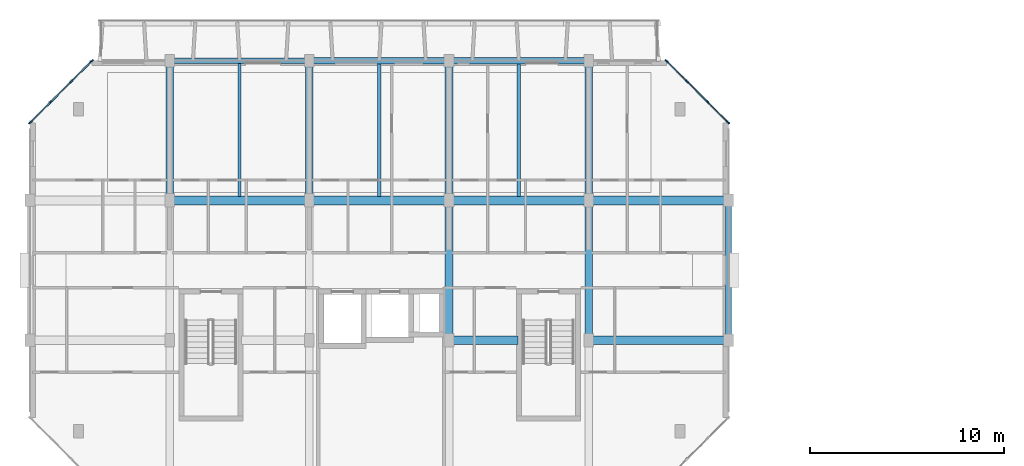
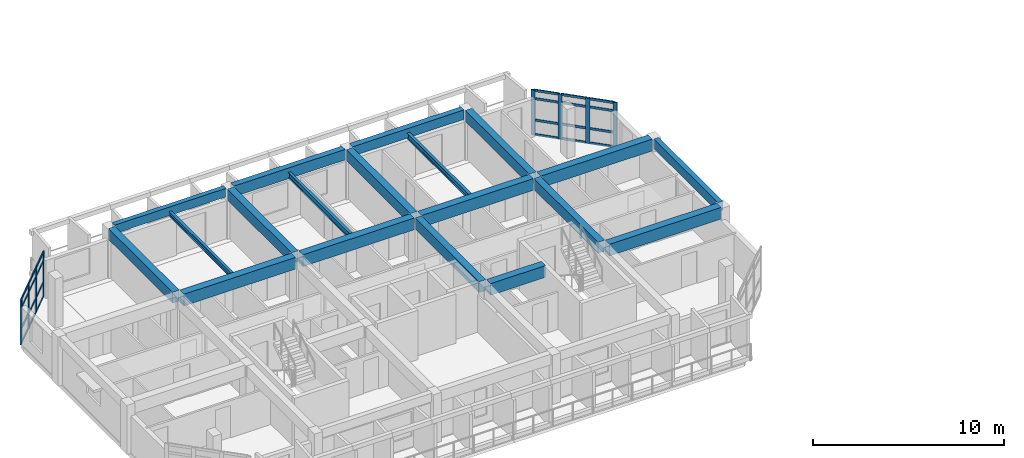
# One storey, part 7 of 51: 32 members, 19 beams, 2 elements without a shape of their own.
"""IFC4 building model written with IfcOpenShell, lengths in metres."""

from ifc_helpers import new_model, si_unit, direction, frame, origin, origin_2d, place, context, subcontext, project, spatial, rectangle, i_section, extrude, material, layer, layer_set, material_profile, profile_set, type_object, element, aggregate, save


model = new_model("IFC4")

# Units and contexts
model_context = context("Model", 3, precision=1e-05, world=origin(), true_north=direction((0.0, 1.0)))
body_context = subcontext(model_context, "Body", "Model", "MODEL_VIEW")
ifc_project = project(units=[si_unit("LENGTHUNIT", "METRE"), si_unit("AREAUNIT", "SQUARE_METRE"), si_unit("VOLUMEUNIT", "CUBIC_METRE"), si_unit("PLANEANGLEUNIT", "RADIAN"), si_unit("MASSUNIT", "GRAM", prefix="KILO")], contexts=[model_context])

# Site, building, storey
site_placement = place(None, origin())
site = spatial("IfcSite", under=ifc_project, at=site_placement, CompositionType="ELEMENT")
building_placement = place(site_placement, origin())
building = spatial("IfcBuilding", under=site, at=building_placement, Name="Ochrevale Crest", CompositionType="ELEMENT")
storey_placement = place(building_placement, frame((0.0, 0.0, 11.85009765625)))
storey = spatial("IfcBuildingStorey", under=building, at=storey_placement, Name="L03", CompositionType="ELEMENT", Elevation=11.85009765625)

# Beams
ifc_material_1 = material(Name="Precast concrete C50/60", Category="concrete")
ifc_material_profile_1 = material_profile(ifc_material_1, rectangle(XDim=0.39990234375, YDim=0.699951171875, at=origin_2d()), Name="PC 400x700")
ifc_profile_set_1 = profile_set([ifc_material_profile_1], Name="Precast concrete C50/60")
beam_type_1 = type_object("IfcBeamType", Name="BM-PC400x700", PredefinedType="BEAM", material=ifc_profile_set_1)
for number, where, z_axis, x_axis, name in (
    (1, (7.199951171875, 86.6298828125, 2.7998046875), (0.0, 1.0, 0.0), (-1.0, 0.0, 0.0), "Block B L03 N-S beam X=7.2"),
    (2, (14.39990234375, 86.6298828125, 2.7998046875), (0.0, 1.0, 0.0), (-1.0, 0.0, 0.0), "Block B L03 N-S beam X=14.4"),
):
    element("IfcBeam", number, at=place(storey_placement, frame(where, z_axis=z_axis, x_axis=x_axis)), inside=storey, type_object=beam_type_1, Name=name, PredefinedType="BEAM", context=body_context, shape_type="SweptSolid", body=[
        extrude(rectangle(XDim=0.39990234375, YDim=0.699951171875, at=origin_2d()), origin(), (0.0, 0.0, 1.0), 6.740234375),
    ])
beam_1_placement = place(storey_placement, frame((21.60009765625, 79.429931640625, 2.7998046875), z_axis=(0.0, 1.0, 0.0), x_axis=(-1.0, 0.0, 0.0)))
element("IfcBeam", 3, at=beam_1_placement, inside=storey, type_object=beam_type_1, Name="Block B L03 N-S beam X=21.6", PredefinedType="BEAM", context=body_context, shape_type="SweptSolid", body=[
    extrude(rectangle(XDim=0.39990234375, YDim=0.699951171875, at=origin_2d()), origin(), (0.0, 0.0, 1.0), 6.739990234375),
])
beam_2_placement = place(storey_placement, frame((21.60009765625, 86.6298828125, 2.7998046875), z_axis=(0.0, 1.0, 0.0), x_axis=(-1.0, 0.0, 0.0)))
element("IfcBeam", 4, at=beam_2_placement, inside=storey, type_object=beam_type_1, Name="Block B L03 N-S beam X=21.6", PredefinedType="BEAM", context=body_context, shape_type="SweptSolid", body=[
    extrude(rectangle(XDim=0.39990234375, YDim=0.699951171875, at=origin_2d()), origin(), (0.0, 0.0, 1.0), 6.740234375),
])
beam_3_placement = place(storey_placement, frame((28.800048828125, 79.429931640625, 2.7998046875), z_axis=(0.0, 1.0, 0.0), x_axis=(-1.0, 0.0, 0.0)))
element("IfcBeam", 5, at=beam_3_placement, inside=storey, type_object=beam_type_1, Name="Block B L03 N-S beam X=28.8", PredefinedType="BEAM", context=body_context, shape_type="SweptSolid", body=[
    extrude(rectangle(XDim=0.39990234375, YDim=0.699951171875, at=origin_2d()), origin(), (0.0, 0.0, 1.0), 6.739990234375),
])
beam_4_placement = place(storey_placement, frame((28.800048828125, 86.6298828125, 2.7998046875), z_axis=(0.0, 1.0, 0.0), x_axis=(-1.0, 0.0, 0.0)))
element("IfcBeam", 6, at=beam_4_placement, inside=storey, type_object=beam_type_1, Name="Block B L03 N-S beam X=28.8", PredefinedType="BEAM", context=body_context, shape_type="SweptSolid", body=[
    extrude(rectangle(XDim=0.39990234375, YDim=0.699951171875, at=origin_2d()), origin(), (0.0, 0.0, 1.0), 6.740234375),
])
ifc_material_2 = material(Name="Concrete C50/60", Category="concrete")
ifc_material_profile_2 = material_profile(ifc_material_2, rectangle(XDim=0.449951171875, YDim=0.75, at=origin_2d()), Name="RC 450x750")
ifc_profile_set_2 = profile_set([ifc_material_profile_2], Name="Concrete C50/60")
beam_type_2 = type_object("IfcBeamType", Name="BM-PG450x750", PredefinedType="USERDEFINED", material=ifc_profile_set_2)
beam_5_placement = place(storey_placement, frame((21.824951171875, 79.199951171875, 2.77490234375), z_axis=(1.0, 0.0, 0.0), x_axis=(0.0, 1.0, 0.0)))
element("IfcBeam", 7, at=beam_5_placement, inside=storey, type_object=beam_type_2, Name="Block B L03 E-W beam Y=79.2", ObjectType="GIRDER", PredefinedType="USERDEFINED", context=body_context, shape_type="SweptSolid", body=[
    extrude(rectangle(XDim=0.449951171875, YDim=0.75, at=origin_2d()), origin(), (0.0, 0.0, 1.0), 3.3349609375),
])
for number, where, z_axis, x_axis, name in (
    (8, (29.02490234375, 79.199951171875, 2.77490234375), (1.0, 0.0, 0.0), (0.0, 1.0, 0.0), "Block B L03 E-W beam Y=79.2"),
    (9, (7.425048828125, 86.39990234375, 2.77490234375), (1.0, 0.0, 0.0), (0.0, 1.0, 0.0), "Block B L03 E-W beam Y=86.4"),
    (10, (14.625, 86.39990234375, 2.77490234375), (1.0, 0.0, 0.0), (0.0, 1.0, 0.0), "Block B L03 E-W beam Y=86.4"),
    (11, (21.824951171875, 86.39990234375, 2.77490234375), (1.0, 0.0, 0.0), (0.0, 1.0, 0.0), "Block B L03 E-W beam Y=86.4"),
    (12, (29.02490234375, 86.39990234375, 2.77490234375), (1.0, 0.0, 0.0), (0.0, 1.0, 0.0), "Block B L03 E-W beam Y=86.4"),
):
    element("IfcBeam", number, at=place(storey_placement, frame(where, z_axis=z_axis, x_axis=x_axis)), inside=storey, type_object=beam_type_2, Name=name, ObjectType="GIRDER", PredefinedType="USERDEFINED", context=body_context, shape_type="SweptSolid", body=[
        extrude(rectangle(XDim=0.449951171875, YDim=0.75, at=origin_2d()), origin(), (0.0, 0.0, 1.0), 6.75),
    ])
ifc_material_3 = material(Name="Precast concrete C40/50", Category="concrete")
ifc_material_profile_3 = material_profile(ifc_material_3, rectangle(XDim=0.280029296875, YDim=0.550048828125, at=origin_2d()), Name="PC 280x550")
ifc_profile_set_3 = profile_set([ifc_material_profile_3], Name="Precast concrete C40/50")
beam_type_3 = type_object("IfcBeamType", Name="BM-SP280x550", PredefinedType="SPANDREL", material=ifc_profile_set_3)
beam_6_placement = place(storey_placement, frame((7.425048828125, 93.60009765625, 2.875), z_axis=(1.0, 0.0, 0.0), x_axis=(0.0, 1.0, 0.0)))
element("IfcBeam", 13, at=beam_6_placement, inside=storey, type_object=beam_type_3, Name="Block B L03 E-W beam Y=93.6", PredefinedType="SPANDREL", context=body_context, shape_type="SweptSolid", body=[
    extrude(rectangle(XDim=0.280029296875, YDim=0.550048828125, at=origin_2d()), origin(), (0.0, 0.0, 1.0), 6.75),
])
ifc_material_profile_4 = material_profile(ifc_material_3, rectangle(XDim=0.300048828125, YDim=0.60009765625, at=origin_2d()), Name="PC 300x600")
ifc_profile_set_4 = profile_set([ifc_material_profile_4], Name="Precast concrete C40/50")
beam_type_4 = type_object("IfcBeamType", Name="BM-SP300x600", PredefinedType="SPANDREL", material=ifc_profile_set_4)
beam_7_placement = place(storey_placement, frame((36.0, 79.429931640625, 2.849853515625), z_axis=(0.0, 1.0, 0.0), x_axis=(-1.0, 0.0, 0.0)))
element("IfcBeam", 14, at=beam_7_placement, inside=storey, type_object=beam_type_4, Name="Block B L03 N-S beam X=36.0", PredefinedType="SPANDREL", context=body_context, shape_type="SweptSolid", body=[
    extrude(rectangle(XDim=0.300048828125, YDim=0.60009765625, at=origin_2d()), origin(), (0.0, 0.0, 1.0), 6.739990234375),
])
ifc_material_profile_5 = material_profile(ifc_material_3, rectangle(XDim=0.35009765625, YDim=0.60009765625, at=origin_2d()), Name="PC 350x600")
ifc_profile_set_5 = profile_set([ifc_material_profile_5], Name="Precast concrete C40/50")
beam_type_5 = type_object("IfcBeamType", Name="BM-SP350x600", PredefinedType="SPANDREL", material=ifc_profile_set_5)
beam_8_placement = place(storey_placement, frame((21.824951171875, 93.60009765625, 2.849853515625), z_axis=(1.0, 0.0, 0.0), x_axis=(0.0, 1.0, 0.0)))
element("IfcBeam", 15, at=beam_8_placement, inside=storey, type_object=beam_type_5, Name="Block B L03 E-W beam Y=93.6", PredefinedType="SPANDREL", context=body_context, shape_type="SweptSolid", body=[
    extrude(rectangle(XDim=0.35009765625, YDim=0.60009765625, at=origin_2d()), origin(), (0.0, 0.0, 1.0), 6.75),
])
ifc_material_profile_6 = material_profile(ifc_material_3, rectangle(XDim=0.35009765625, YDim=0.679931640625, at=origin_2d()), Name="PC 350x680")
ifc_profile_set_6 = profile_set([ifc_material_profile_6], Name="Precast concrete C40/50")
beam_type_6 = type_object("IfcBeamType", Name="BM-SP350x680", PredefinedType="SPANDREL", material=ifc_profile_set_6)
beam_9_placement = place(storey_placement, frame((14.625, 93.60009765625, 2.809814453125), z_axis=(1.0, 0.0, 0.0), x_axis=(0.0, 1.0, 0.0)))
element("IfcBeam", 16, at=beam_9_placement, inside=storey, type_object=beam_type_6, Name="Block B L03 E-W beam Y=93.6", PredefinedType="SPANDREL", context=body_context, shape_type="SweptSolid", body=[
    extrude(rectangle(XDim=0.35009765625, YDim=0.679931640625, at=origin_2d()), origin(), (0.0, 0.0, 1.0), 6.75),
])
ifc_material_4 = material(Name="Steel S355", Category="steel")
ifc_material_profile_7 = material_profile(ifc_material_4, i_section(OverallWidth=0.1650390625, OverallDepth=0.3037109375, WebThickness=0.006103515625, FlangeThickness=0.01025390625, FilletRadius=0.011474609375, at=origin_2d()), Name="310UB40.4")
ifc_profile_set_7 = profile_set([ifc_material_profile_7], Name="Steel S355")
beam_type_7 = type_object("IfcBeamType", Name="BM-UB310A", PredefinedType="BEAM", material=ifc_profile_set_7)
beam_10_placement = place(storey_placement, frame((10.800048828125, 86.613037109375, 2.722900390625), z_axis=(0.0, 1.0, 0.0), x_axis=(-1.0, 0.0, 0.0)))
element("IfcBeam", 17, at=beam_10_placement, inside=storey, type_object=beam_type_7, Name="Block B L03 composite plank trimmer beam 2", PredefinedType="BEAM", context=body_context, shape_type="SweptSolid", body=[
    extrude(i_section(OverallWidth=0.1650390625, OverallDepth=0.3037109375, WebThickness=0.006103515625, FlangeThickness=0.01025390625, FilletRadius=0.011474609375, at=origin_2d()), origin(), (0.0, 0.0, 1.0), 6.85888671875),
])
ifc_material_profile_8 = material_profile(ifc_material_4, i_section(OverallWidth=0.17138671875, OverallDepth=0.355712890625, WebThickness=0.00732421875, FlangeThickness=0.011474609375, FilletRadius=0.011474609375, at=origin_2d()), Name="360UB50.7")
ifc_profile_set_8 = profile_set([ifc_material_profile_8], Name="Steel S355")
beam_type_8 = type_object("IfcBeamType", Name="BM-UB360A", PredefinedType="BEAM", material=ifc_profile_set_8)
beam_11_placement = place(storey_placement, frame((18.0, 86.613037109375, 2.697021484375), z_axis=(0.0, 1.0, 0.0), x_axis=(-1.0, 0.0, 0.0)))
element("IfcBeam", 18, at=beam_11_placement, inside=storey, type_object=beam_type_8, Name="Block B L03 composite plank trimmer beam 3", PredefinedType="BEAM", context=body_context, shape_type="SweptSolid", body=[
    extrude(i_section(OverallWidth=0.17138671875, OverallDepth=0.355712890625, WebThickness=0.00732421875, FlangeThickness=0.011474609375, FilletRadius=0.011474609375, at=origin_2d()), origin(), (0.0, 0.0, 1.0), 6.823974609375),
])
ifc_material_profile_9 = material_profile(ifc_material_4, i_section(OverallWidth=0.172119140625, OverallDepth=0.358642578125, WebThickness=0.008056640625, FlangeThickness=0.012939453125, FilletRadius=0.011474609375, at=origin_2d()), Name="360UB56.7")
ifc_profile_set_9 = profile_set([ifc_material_profile_9], Name="Steel S355")
beam_type_9 = type_object("IfcBeamType", Name="BM-UB360B", PredefinedType="BEAM", material=ifc_profile_set_9)
beam_12_placement = place(storey_placement, frame((25.199951171875, 86.613037109375, 2.695556640625), z_axis=(0.0, 1.0, 0.0), x_axis=(-1.0, 0.0, 0.0)))
element("IfcBeam", 19, at=beam_12_placement, inside=storey, type_object=beam_type_9, Name="Block B L03 composite plank trimmer beam 4", PredefinedType="BEAM", context=body_context, shape_type="SweptSolid", body=[
    extrude(i_section(OverallWidth=0.172119140625, OverallDepth=0.358642578125, WebThickness=0.008056640625, FlangeThickness=0.012939453125, FilletRadius=0.011474609375, at=origin_2d()), origin(), (0.0, 0.0, 1.0), 6.823974609375),
])

# Curtain wall, members
ifc_material_5 = material(Name="Anodised aluminium 6063-T5", Category="aluminium")
ifc_layer_1 = layer(ifc_material_5, 0.14990234375)
ifc_layer_set_1 = layer_set([ifc_layer_1], Name="Anodised aluminium 6063-T5")
curtain_wall_type_1 = type_object("IfcCurtainWallType", Name="CW-WG-320x285", PredefinedType="NOTDEFINED", material=ifc_layer_set_1)
curtain_wall_1_placement = place(storey_placement, origin())
curtain_wall_1 = element("IfcCurtainWall", 20, at=curtain_wall_1_placement, inside=storey, type_object=curtain_wall_type_1, Name="Block B L03 chamfered corner wintergarden curtain wall 4", PredefinedType="NOTDEFINED")
ifc_material_profile_10 = material_profile(ifc_material_5, rectangle(XDim=0.074951171875, YDim=0.219970703125, at=origin_2d()), Name="ALU 75x220")
ifc_profile_set_10 = profile_set([ifc_material_profile_10], Name="Anodised aluminium 6063-T5")
member_type_1 = type_object("IfcMemberType", Name="CW-MUL-75x220", PredefinedType="MULLION", material=ifc_profile_set_10)
member_1_placement = place(storey_placement, frame((35.973388671875, 90.426513671875, 0.0), z_axis=(0.0, 0.0, 1.0), x_axis=(-0.707106781187, -0.707106781187, 0.0)))
member_1 = element("IfcMember", 21, at=member_1_placement, type_object=member_type_1, Name="CW17 mullion 1", PredefinedType="MULLION", context=body_context, shape_type="SweptSolid", body=[
    extrude(rectangle(XDim=0.074951171875, YDim=0.219970703125, at=origin_2d()), origin(), (0.0, 0.0, 1.0), 2.875),
])
member_2_placement = place(storey_placement, frame((34.933349609375, 91.466552734375, 0.0), z_axis=(0.0, 0.0, 1.0), x_axis=(-0.707106781187, -0.707106781187, 0.0)))
member_2 = element("IfcMember", 22, at=member_2_placement, type_object=member_type_1, Name="CW17 mullion 2", PredefinedType="MULLION", context=body_context, shape_type="SweptSolid", body=[
    extrude(rectangle(XDim=0.074951171875, YDim=0.219970703125, at=origin_2d()), origin(), (0.0, 0.0, 1.0), 2.875),
])
member_3_placement = place(storey_placement, frame((33.86669921875, 92.533447265625, 0.0), z_axis=(0.0, 0.0, 1.0), x_axis=(-0.707106781187, -0.707106781187, 0.0)))
member_3 = element("IfcMember", 23, at=member_3_placement, type_object=member_type_1, Name="CW17 mullion 3", PredefinedType="MULLION", context=body_context, shape_type="SweptSolid", body=[
    extrude(rectangle(XDim=0.074951171875, YDim=0.219970703125, at=origin_2d()), origin(), (0.0, 0.0, 1.0), 2.875),
])
member_4_placement = place(storey_placement, frame((32.826416015625, 93.573486328125, 0.0), z_axis=(0.0, 0.0, 1.0), x_axis=(-0.707106781187, -0.707106781187, 0.0)))
member_4 = element("IfcMember", 24, at=member_4_placement, type_object=member_type_1, Name="CW17 mullion 4", PredefinedType="MULLION", context=body_context, shape_type="SweptSolid", body=[
    extrude(rectangle(XDim=0.074951171875, YDim=0.219970703125, at=origin_2d()), origin(), (0.0, 0.0, 1.0), 2.875),
])

ifc_layer_2 = layer(ifc_material_5, 0.14990234375)
ifc_layer_set_2 = layer_set([ifc_layer_2], Name="Anodised aluminium 6063-T5")
curtain_wall_type_2 = type_object("IfcCurtainWallType", Name="CW-WG-420x285", PredefinedType="NOTDEFINED", material=ifc_layer_set_2)
curtain_wall_2_placement = place(storey_placement, origin())
curtain_wall_2 = element("IfcCurtainWall", 25, at=curtain_wall_2_placement, inside=storey, type_object=curtain_wall_type_2, Name="Block B L03 chamfered corner wintergarden curtain wall 6", PredefinedType="NOTDEFINED")
member_5_placement = place(storey_placement, frame((3.173583984375, 93.573486328125, 0.0), z_axis=(0.0, 0.0, 1.0), x_axis=(0.707106781187, -0.707106781187, 0.0)))
member_5 = element("IfcMember", 26, at=member_5_placement, type_object=member_type_1, Name="CW22 mullion 1", PredefinedType="MULLION", context=body_context, shape_type="SweptSolid", body=[
    extrude(rectangle(XDim=0.074951171875, YDim=0.219970703125, at=origin_2d()), origin(), (0.0, 0.0, 1.0), 2.875),
])
member_6_placement = place(storey_placement, frame((2.13330078125, 92.533447265625, 0.0), z_axis=(0.0, 0.0, 1.0), x_axis=(0.707106781187, -0.707106781187, 0.0)))
member_6 = element("IfcMember", 27, at=member_6_placement, type_object=member_type_1, Name="CW22 mullion 2", PredefinedType="MULLION", context=body_context, shape_type="SweptSolid", body=[
    extrude(rectangle(XDim=0.074951171875, YDim=0.219970703125, at=origin_2d()), origin(), (0.0, 0.0, 1.0), 2.875),
])
member_7_placement = place(storey_placement, frame((1.066650390625, 91.466552734375, 0.0), z_axis=(0.0, 0.0, 1.0), x_axis=(0.707106781187, -0.707106781187, 0.0)))
member_7 = element("IfcMember", 28, at=member_7_placement, type_object=member_type_1, Name="CW22 mullion 3", PredefinedType="MULLION", context=body_context, shape_type="SweptSolid", body=[
    extrude(rectangle(XDim=0.074951171875, YDim=0.219970703125, at=origin_2d()), origin(), (0.0, 0.0, 1.0), 2.875),
])
member_8_placement = place(storey_placement, frame((0.026611328125, 90.426513671875, 0.0), z_axis=(0.0, 0.0, 1.0), x_axis=(0.707106781187, -0.707106781187, 0.0)))
member_8 = element("IfcMember", 29, at=member_8_placement, type_object=member_type_1, Name="CW22 mullion 4", PredefinedType="MULLION", context=body_context, shape_type="SweptSolid", body=[
    extrude(rectangle(XDim=0.074951171875, YDim=0.219970703125, at=origin_2d()), origin(), (0.0, 0.0, 1.0), 2.875),
])

# Member
ifc_material_profile_11 = material_profile(ifc_material_5, rectangle(XDim=0.06005859375, YDim=0.14990234375, at=origin_2d()), Name="ALU 60x150")
ifc_profile_set_11 = profile_set([ifc_material_profile_11], Name="Anodised aluminium 6063-T5")
member_type_2 = type_object("IfcMemberType", Name="CW-TRN-60x150", PredefinedType="USERDEFINED", material=ifc_profile_set_11)
member_9_placement = place(storey_placement, frame((35.947021484375, 90.453125, 0.02978515625), z_axis=(-0.707106781187, 0.707106781187, 0.0), x_axis=(-0.707106781187, -0.707106781187, 0.0)))
member_9 = element("IfcMember", 30, at=member_9_placement, type_object=member_type_2, Name="CW17 transom 1.1", ObjectType="TRANSOM", PredefinedType="USERDEFINED", context=body_context, shape_type="SweptSolid", body=[
    extrude(rectangle(XDim=0.06005859375, YDim=0.14990234375, at=origin_2d()), origin(), (0.0, 0.0, 1.0), 1.39599609375),
])

member_10_placement = place(storey_placement, frame((35.947021484375, 90.453125, 0.949951171875), z_axis=(-0.707106781187, 0.707106781187, 0.0), x_axis=(-0.707106781187, -0.707106781187, 0.0)))
member_10 = element("IfcMember", 31, at=member_10_placement, type_object=member_type_2, Name="CW17 transom 1.2", ObjectType="TRANSOM", PredefinedType="USERDEFINED", context=body_context, shape_type="SweptSolid", body=[
    extrude(rectangle(XDim=0.06005859375, YDim=0.14990234375, at=origin_2d()), origin(), (0.0, 0.0, 1.0), 1.39599609375),
])

member_11_placement = place(storey_placement, frame((35.947021484375, 90.453125, 2.324951171875), z_axis=(-0.707106781187, 0.707106781187, 0.0), x_axis=(-0.707106781187, -0.707106781187, 0.0)))
member_11 = element("IfcMember", 32, at=member_11_placement, type_object=member_type_2, Name="CW17 transom 1.3", ObjectType="TRANSOM", PredefinedType="USERDEFINED", context=body_context, shape_type="SweptSolid", body=[
    extrude(rectangle(XDim=0.06005859375, YDim=0.14990234375, at=origin_2d()), origin(), (0.0, 0.0, 1.0), 1.39599609375),
])

member_12_placement = place(storey_placement, frame((35.947021484375, 90.453125, 2.844970703125), z_axis=(-0.707106781187, 0.707106781187, 0.0), x_axis=(-0.707106781187, -0.707106781187, 0.0)))
member_12 = element("IfcMember", 33, at=member_12_placement, type_object=member_type_2, Name="CW17 transom 1.4", ObjectType="TRANSOM", PredefinedType="USERDEFINED", context=body_context, shape_type="SweptSolid", body=[
    extrude(rectangle(XDim=0.06005859375, YDim=0.14990234375, at=origin_2d()), origin(), (0.0, 0.0, 1.0), 1.39599609375),
])

member_13_placement = place(storey_placement, frame((34.90673828125, 91.4931640625, 0.02978515625), z_axis=(-0.707106781187, 0.707106781187, 0.0), x_axis=(-0.707106781187, -0.707106781187, 0.0)))
member_13 = element("IfcMember", 34, at=member_13_placement, type_object=member_type_2, Name="CW17 transom 2.1", ObjectType="TRANSOM", PredefinedType="USERDEFINED", context=body_context, shape_type="SweptSolid", body=[
    extrude(rectangle(XDim=0.06005859375, YDim=0.14990234375, at=origin_2d()), origin(), (0.0, 0.0, 1.0), 1.43359375),
])

member_14_placement = place(storey_placement, frame((34.90673828125, 91.4931640625, 0.949951171875), z_axis=(-0.707106781187, 0.707106781187, 0.0), x_axis=(-0.707106781187, -0.707106781187, 0.0)))
member_14 = element("IfcMember", 35, at=member_14_placement, type_object=member_type_2, Name="CW17 transom 2.2", ObjectType="TRANSOM", PredefinedType="USERDEFINED", context=body_context, shape_type="SweptSolid", body=[
    extrude(rectangle(XDim=0.06005859375, YDim=0.14990234375, at=origin_2d()), origin(), (0.0, 0.0, 1.0), 1.43359375),
])

member_15_placement = place(storey_placement, frame((34.90673828125, 91.4931640625, 2.324951171875), z_axis=(-0.707106781187, 0.707106781187, 0.0), x_axis=(-0.707106781187, -0.707106781187, 0.0)))
member_15 = element("IfcMember", 36, at=member_15_placement, type_object=member_type_2, Name="CW17 transom 2.3", ObjectType="TRANSOM", PredefinedType="USERDEFINED", context=body_context, shape_type="SweptSolid", body=[
    extrude(rectangle(XDim=0.06005859375, YDim=0.14990234375, at=origin_2d()), origin(), (0.0, 0.0, 1.0), 1.43359375),
])

member_16_placement = place(storey_placement, frame((34.90673828125, 91.4931640625, 2.844970703125), z_axis=(-0.707106781187, 0.707106781187, 0.0), x_axis=(-0.707106781187, -0.707106781187, 0.0)))
member_16 = element("IfcMember", 37, at=member_16_placement, type_object=member_type_2, Name="CW17 transom 2.4", ObjectType="TRANSOM", PredefinedType="USERDEFINED", context=body_context, shape_type="SweptSolid", body=[
    extrude(rectangle(XDim=0.06005859375, YDim=0.14990234375, at=origin_2d()), origin(), (0.0, 0.0, 1.0), 1.43359375),
])

member_17_placement = place(storey_placement, frame((33.840087890625, 92.559814453125, 0.02978515625), z_axis=(-0.707106781187, 0.707106781187, 0.0), x_axis=(-0.707106781187, -0.707106781187, 0.0)))
member_17 = element("IfcMember", 38, at=member_17_placement, type_object=member_type_2, Name="CW17 transom 3.1", ObjectType="TRANSOM", PredefinedType="USERDEFINED", context=body_context, shape_type="SweptSolid", body=[
    extrude(rectangle(XDim=0.06005859375, YDim=0.14990234375, at=origin_2d()), origin(), (0.0, 0.0, 1.0), 1.39599609375),
])

member_18_placement = place(storey_placement, frame((33.840087890625, 92.559814453125, 0.949951171875), z_axis=(-0.707106781187, 0.707106781187, 0.0), x_axis=(-0.707106781187, -0.707106781187, 0.0)))
member_18 = element("IfcMember", 39, at=member_18_placement, type_object=member_type_2, Name="CW17 transom 3.2", ObjectType="TRANSOM", PredefinedType="USERDEFINED", context=body_context, shape_type="SweptSolid", body=[
    extrude(rectangle(XDim=0.06005859375, YDim=0.14990234375, at=origin_2d()), origin(), (0.0, 0.0, 1.0), 1.39599609375),
])

member_19_placement = place(storey_placement, frame((33.840087890625, 92.559814453125, 2.324951171875), z_axis=(-0.707106781187, 0.707106781187, 0.0), x_axis=(-0.707106781187, -0.707106781187, 0.0)))
member_19 = element("IfcMember", 40, at=member_19_placement, type_object=member_type_2, Name="CW17 transom 3.3", ObjectType="TRANSOM", PredefinedType="USERDEFINED", context=body_context, shape_type="SweptSolid", body=[
    extrude(rectangle(XDim=0.06005859375, YDim=0.14990234375, at=origin_2d()), origin(), (0.0, 0.0, 1.0), 1.39599609375),
])

member_20_placement = place(storey_placement, frame((33.840087890625, 92.559814453125, 2.844970703125), z_axis=(-0.707106781187, 0.707106781187, 0.0), x_axis=(-0.707106781187, -0.707106781187, 0.0)))
member_20 = element("IfcMember", 41, at=member_20_placement, type_object=member_type_2, Name="CW17 transom 3.4", ObjectType="TRANSOM", PredefinedType="USERDEFINED", context=body_context, shape_type="SweptSolid", body=[
    extrude(rectangle(XDim=0.06005859375, YDim=0.14990234375, at=origin_2d()), origin(), (0.0, 0.0, 1.0), 1.39599609375),
])

aggregate(curtain_wall_1, [member_1, member_2, member_3, member_4, member_9, member_10, member_11, member_12, member_13, member_14, member_15, member_16, member_17, member_18, member_19, member_20])

member_21_placement = place(storey_placement, frame((3.14697265625, 93.546875, 0.02978515625), z_axis=(-0.707106781187, -0.707106781187, 0.0), x_axis=(0.707106781187, -0.707106781187, 0.0)))
member_21 = element("IfcMember", 42, at=member_21_placement, type_object=member_type_2, Name="CW22 transom 1.1", ObjectType="TRANSOM", PredefinedType="USERDEFINED", context=body_context, shape_type="SweptSolid", body=[
    extrude(rectangle(XDim=0.06005859375, YDim=0.14990234375, at=origin_2d()), origin(), (0.0, 0.0, 1.0), 1.39599609375),
])

member_22_placement = place(storey_placement, frame((3.14697265625, 93.546875, 0.949951171875), z_axis=(-0.707106781187, -0.707106781187, 0.0), x_axis=(0.707106781187, -0.707106781187, 0.0)))
member_22 = element("IfcMember", 43, at=member_22_placement, type_object=member_type_2, Name="CW22 transom 1.2", ObjectType="TRANSOM", PredefinedType="USERDEFINED", context=body_context, shape_type="SweptSolid", body=[
    extrude(rectangle(XDim=0.06005859375, YDim=0.14990234375, at=origin_2d()), origin(), (0.0, 0.0, 1.0), 1.39599609375),
])

member_23_placement = place(storey_placement, frame((3.14697265625, 93.546875, 2.324951171875), z_axis=(-0.707106781187, -0.707106781187, 0.0), x_axis=(0.707106781187, -0.707106781187, 0.0)))
member_23 = element("IfcMember", 44, at=member_23_placement, type_object=member_type_2, Name="CW22 transom 1.3", ObjectType="TRANSOM", PredefinedType="USERDEFINED", context=body_context, shape_type="SweptSolid", body=[
    extrude(rectangle(XDim=0.06005859375, YDim=0.14990234375, at=origin_2d()), origin(), (0.0, 0.0, 1.0), 1.39599609375),
])

member_24_placement = place(storey_placement, frame((3.14697265625, 93.546875, 2.844970703125), z_axis=(-0.707106781187, -0.707106781187, 0.0), x_axis=(0.707106781187, -0.707106781187, 0.0)))
member_24 = element("IfcMember", 45, at=member_24_placement, type_object=member_type_2, Name="CW22 transom 1.4", ObjectType="TRANSOM", PredefinedType="USERDEFINED", context=body_context, shape_type="SweptSolid", body=[
    extrude(rectangle(XDim=0.06005859375, YDim=0.14990234375, at=origin_2d()), origin(), (0.0, 0.0, 1.0), 1.39599609375),
])

member_25_placement = place(storey_placement, frame((2.10693359375, 92.5068359375, 0.02978515625), z_axis=(-0.707106781187, -0.707106781187, 0.0), x_axis=(0.707106781187, -0.707106781187, 0.0)))
member_25 = element("IfcMember", 46, at=member_25_placement, type_object=member_type_2, Name="CW22 transom 2.1", ObjectType="TRANSOM", PredefinedType="USERDEFINED", context=body_context, shape_type="SweptSolid", body=[
    extrude(rectangle(XDim=0.06005859375, YDim=0.14990234375, at=origin_2d()), origin(), (0.0, 0.0, 1.0), 1.43359375),
])

member_26_placement = place(storey_placement, frame((2.10693359375, 92.5068359375, 0.949951171875), z_axis=(-0.707106781187, -0.707106781187, 0.0), x_axis=(0.707106781187, -0.707106781187, 0.0)))
member_26 = element("IfcMember", 47, at=member_26_placement, type_object=member_type_2, Name="CW22 transom 2.2", ObjectType="TRANSOM", PredefinedType="USERDEFINED", context=body_context, shape_type="SweptSolid", body=[
    extrude(rectangle(XDim=0.06005859375, YDim=0.14990234375, at=origin_2d()), origin(), (0.0, 0.0, 1.0), 1.43359375),
])

member_27_placement = place(storey_placement, frame((2.10693359375, 92.5068359375, 2.324951171875), z_axis=(-0.707106781187, -0.707106781187, 0.0), x_axis=(0.707106781187, -0.707106781187, 0.0)))
member_27 = element("IfcMember", 48, at=member_27_placement, type_object=member_type_2, Name="CW22 transom 2.3", ObjectType="TRANSOM", PredefinedType="USERDEFINED", context=body_context, shape_type="SweptSolid", body=[
    extrude(rectangle(XDim=0.06005859375, YDim=0.14990234375, at=origin_2d()), origin(), (0.0, 0.0, 1.0), 1.43359375),
])

member_28_placement = place(storey_placement, frame((2.10693359375, 92.5068359375, 2.844970703125), z_axis=(-0.707106781187, -0.707106781187, 0.0), x_axis=(0.707106781187, -0.707106781187, 0.0)))
member_28 = element("IfcMember", 49, at=member_28_placement, type_object=member_type_2, Name="CW22 transom 2.4", ObjectType="TRANSOM", PredefinedType="USERDEFINED", context=body_context, shape_type="SweptSolid", body=[
    extrude(rectangle(XDim=0.06005859375, YDim=0.14990234375, at=origin_2d()), origin(), (0.0, 0.0, 1.0), 1.43359375),
])

member_29_placement = place(storey_placement, frame((1.0400390625, 91.440185546875, 0.02978515625), z_axis=(-0.707106781187, -0.707106781187, 0.0), x_axis=(0.707106781187, -0.707106781187, 0.0)))
member_29 = element("IfcMember", 50, at=member_29_placement, type_object=member_type_2, Name="CW22 transom 3.1", ObjectType="TRANSOM", PredefinedType="USERDEFINED", context=body_context, shape_type="SweptSolid", body=[
    extrude(rectangle(XDim=0.06005859375, YDim=0.14990234375, at=origin_2d()), origin(), (0.0, 0.0, 1.0), 1.39599609375),
])

member_30_placement = place(storey_placement, frame((1.0400390625, 91.440185546875, 0.949951171875), z_axis=(-0.707106781187, -0.707106781187, 0.0), x_axis=(0.707106781187, -0.707106781187, 0.0)))
member_30 = element("IfcMember", 51, at=member_30_placement, type_object=member_type_2, Name="CW22 transom 3.2", ObjectType="TRANSOM", PredefinedType="USERDEFINED", context=body_context, shape_type="SweptSolid", body=[
    extrude(rectangle(XDim=0.06005859375, YDim=0.14990234375, at=origin_2d()), origin(), (0.0, 0.0, 1.0), 1.39599609375),
])

member_31_placement = place(storey_placement, frame((1.0400390625, 91.440185546875, 2.324951171875), z_axis=(-0.707106781187, -0.707106781187, 0.0), x_axis=(0.707106781187, -0.707106781187, 0.0)))
member_31 = element("IfcMember", 52, at=member_31_placement, type_object=member_type_2, Name="CW22 transom 3.3", ObjectType="TRANSOM", PredefinedType="USERDEFINED", context=body_context, shape_type="SweptSolid", body=[
    extrude(rectangle(XDim=0.06005859375, YDim=0.14990234375, at=origin_2d()), origin(), (0.0, 0.0, 1.0), 1.39599609375),
])

member_32_placement = place(storey_placement, frame((1.0400390625, 91.440185546875, 2.844970703125), z_axis=(-0.707106781187, -0.707106781187, 0.0), x_axis=(0.707106781187, -0.707106781187, 0.0)))
member_32 = element("IfcMember", 53, at=member_32_placement, type_object=member_type_2, Name="CW22 transom 3.4", ObjectType="TRANSOM", PredefinedType="USERDEFINED", context=body_context, shape_type="SweptSolid", body=[
    extrude(rectangle(XDim=0.06005859375, YDim=0.14990234375, at=origin_2d()), origin(), (0.0, 0.0, 1.0), 1.39599609375),
])

aggregate(curtain_wall_2, [member_5, member_6, member_7, member_8, member_21, member_22, member_23, member_24, member_25, member_26, member_27, member_28, member_29, member_30, member_31, member_32])

save(model, "model.ifc")
